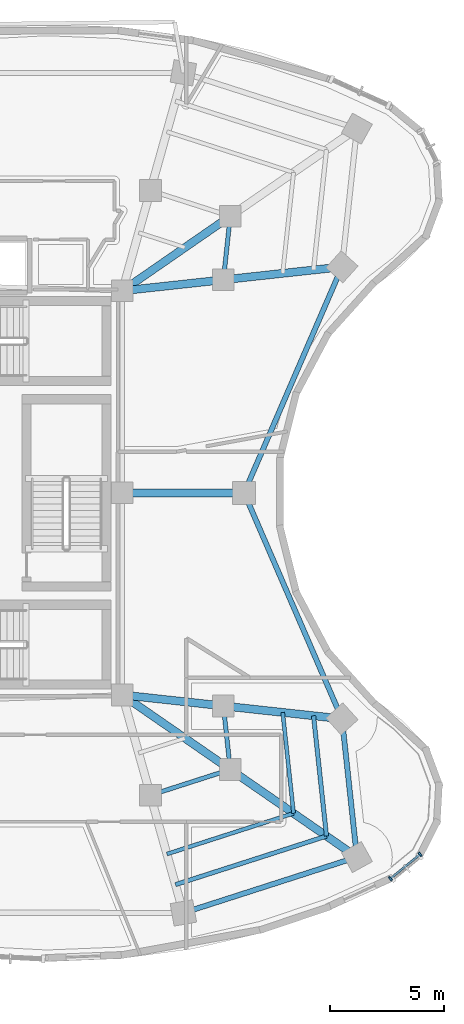
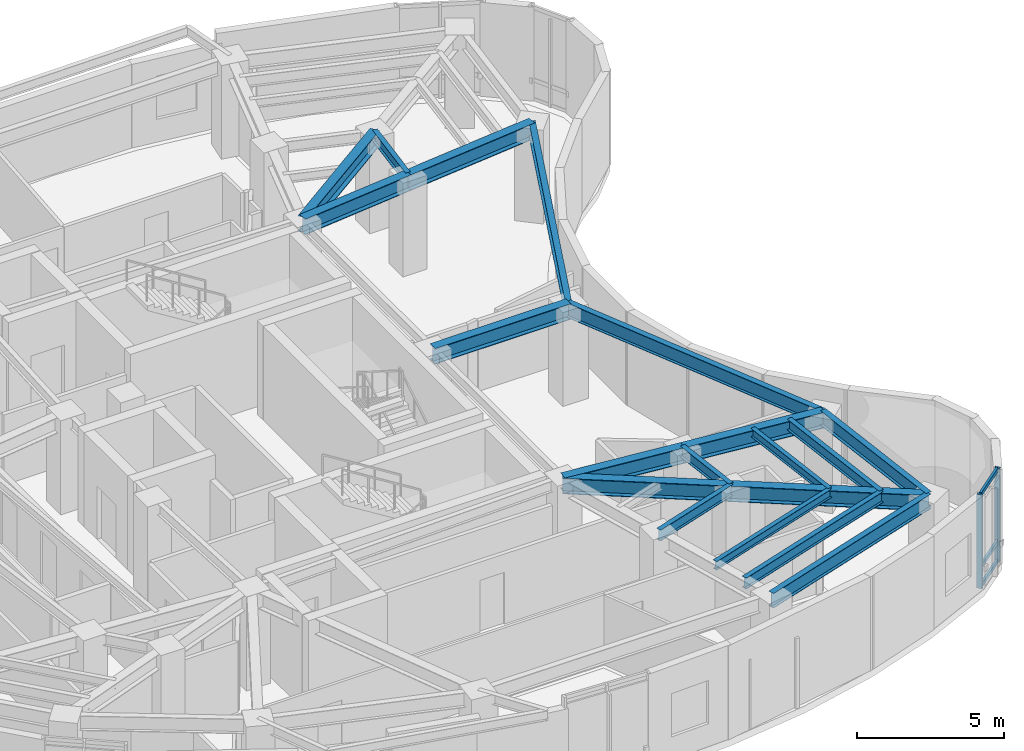
# One storey, part 4 of 13: 19 beams, 5 members, 1 element without a shape of its own.
"""IFC4 building model written with IfcOpenShell, lengths in metres."""

from ifc_helpers import new_model, si_unit, direction, frame, origin, origin_2d, place, context, subcontext, project, spatial, rectangle, i_section, extrude, material, layer, layer_set, material_profile, profile_set, type_object, element, aggregate, save


model = new_model("IFC4")

# Units and contexts
model_context = context("Model", 3, precision=1e-05, world=origin(), true_north=direction((0.0, 1.0)))
body_context = subcontext(model_context, "Body", "Model", "MODEL_VIEW")
ifc_project = project(units=[si_unit("LENGTHUNIT", "METRE"), si_unit("AREAUNIT", "SQUARE_METRE"), si_unit("VOLUMEUNIT", "CUBIC_METRE"), si_unit("PLANEANGLEUNIT", "RADIAN"), si_unit("MASSUNIT", "GRAM", prefix="KILO")], contexts=[model_context])

# Site, building, storey
site_placement = place(None, origin())
site = spatial("IfcSite", under=ifc_project, at=site_placement, CompositionType="ELEMENT")
building_placement = place(site_placement, origin())
building = spatial("IfcBuilding", under=site, at=building_placement, Name="Korentha Bioscience Tower", CompositionType="ELEMENT")
storey_placement = place(building_placement, frame((0.0, 0.0, 192.0)))
storey = spatial("IfcBuildingStorey", under=building, at=storey_placement, Name="L44", CompositionType="ELEMENT", Elevation=192.0)

# Beams
ifc_material_1 = material(Name="Steel S355", Category="steel")
ifc_material_profile_1 = material_profile(ifc_material_1, i_section(OverallWidth=0.18994140625, OverallDepth=0.45703125, WebThickness=0.009033203125, FlangeThickness=0.014404296875, at=origin_2d()), Name="Steel S355")
ifc_profile_set_1 = profile_set([ifc_material_profile_1], Name="Steel S355 (MB-460)")
beam_type_1 = type_object("IfcBeamType", Name="Mid-Ring Tie Girder W460x74", PredefinedType="BEAM", material=ifc_profile_set_1)
beam_1_placement = place(storey_placement, frame((38.77880859375, 13.7587890625, 3.67138671875), z_axis=(0.952000195343, 0.306097415976, 0.0), x_axis=(-0.306097415976, 0.952000195343, 0.0)))
element("IfcBeam", 1, at=beam_1_placement, inside=storey, type_object=beam_type_1, Name="L44 Mid-Ring Tie Girder 12", PredefinedType="BEAM", context=body_context, shape_type="SweptSolid", body=[
    extrude(i_section(OverallWidth=0.18994140625, OverallDepth=0.45703125, WebThickness=0.009033203125, FlangeThickness=0.014404296875, at=origin_2d()), origin(), (0.0, 0.0, 1.0), 3.672119140625),
])
for number, where, z_axis, x_axis, name in (
    (2, (42.274658203125, 14.8828125, 3.67138671875), (-0.107283940056, 0.99422842255, 0.0), (-0.99422842255, -0.107283940056, 0.0), "L44 Mid-Ring Tie Girder 13"),
    (3, (41.97412109375, 36.33203125, 3.67138671875), (0.107283940056, 0.99422842255, 0.0), (-0.99422842255, 0.107283940056, 0.0), "L44 Mid-Ring Tie Girder 16"),
):
    element("IfcBeam", number, at=place(storey_placement, frame(where, z_axis=z_axis, x_axis=x_axis)), inside=storey, type_object=beam_type_1, Name=name, PredefinedType="BEAM", context=body_context, shape_type="SweptSolid", body=[
        extrude(i_section(OverallWidth=0.18994140625, OverallDepth=0.45703125, WebThickness=0.009033203125, FlangeThickness=0.014404296875, at=origin_2d()), origin(), (0.0, 0.0, 1.0), 2.80126953125),
    ])

# Curtain wall, members
ifc_material_2 = material(Name="Thermally Broken Aluminium Frame", Category="aluminium")
ifc_layer = layer(ifc_material_2, 0.219970703125, Name="Thermally Broken Aluminium Frame")
ifc_layer_set = layer_set([ifc_layer], Name="Thermally Broken Aluminium Frame (CW-T2)")
curtain_wall_type = type_object("IfcCurtainWallType", Name="Solar-Screened Lab Unitised Curtain Wall CW-T2", PredefinedType="USERDEFINED", material=ifc_layer_set)
curtain_wall_placement = place(storey_placement, origin())
curtain_wall = element("IfcCurtainWall", 4, at=curtain_wall_placement, inside=storey, type_object=curtain_wall_type, Name="L44 Curtain Wall 37", ObjectType="UNITISED", PredefinedType="USERDEFINED")
ifc_material_3 = material(Name="Anodised Aluminium 6063-T6", Category="aluminium")
ifc_material_profile_2 = material_profile(ifc_material_3, rectangle(XDim=0.090087890625, YDim=0.199951171875, at=origin_2d()), Name="Anodised Aluminium 6063-T6")
ifc_profile_set_2 = profile_set([ifc_material_profile_2], Name="Anodised Aluminium 6063-T6 (CW-MUL)")
member_type_1 = type_object("IfcMemberType", Name="Mullion RECT 90x200", PredefinedType="MULLION", material=ifc_profile_set_2)
member_1_placement = place(storey_placement, frame((49.28759765625, 10.105224609375, 0.0), z_axis=(0.0, 0.0, 1.0), x_axis=(0.77425646139, 0.632871971251, 0.0)))
member_1 = element("IfcMember", 5, at=member_1_placement, type_object=member_type_1, Name="CW-L44-37 Mullion 1", PredefinedType="MULLION", context=body_context, shape_type="SweptSolid", body=[
    extrude(rectangle(XDim=0.090087890625, YDim=0.199951171875, at=origin_2d()), origin(), (0.0, 0.0, 1.0), 3.89990234375),
])
member_2_placement = place(storey_placement, frame((50.58984375, 11.169677734375, 0.0), z_axis=(0.0, 0.0, 1.0), x_axis=(0.77425646139, 0.632871971251, 0.0)))
member_2 = element("IfcMember", 6, at=member_2_placement, type_object=member_type_1, Name="CW-L44-37 Mullion 2", PredefinedType="MULLION", context=body_context, shape_type="SweptSolid", body=[
    extrude(rectangle(XDim=0.090087890625, YDim=0.199951171875, at=origin_2d()), origin(), (0.0, 0.0, 1.0), 3.89990234375),
])

# Beams
ifc_material_profile_3 = material_profile(ifc_material_1, i_section(OverallWidth=0.22802734375, OverallDepth=0.60791015625, WebThickness=0.01123046875, FlangeThickness=0.017333984375, at=origin_2d()), Name="Steel S355")
ifc_profile_set_3 = profile_set([ifc_material_profile_3], Name="Steel S355 (SB-610)")
beam_type_2 = type_object("IfcBeamType", Name="Perimeter Ring Spandrel Girder W610x113", PredefinedType="SPANDREL", material=ifc_profile_set_3)
beam_2_placement = place(storey_placement, frame((40.22119140625, 8.60400390625, 3.595947265625), z_axis=(0.952008512555, 0.306071547228, 0.0), x_axis=(-0.306071547228, 0.952008512555, 0.0)))
element("IfcBeam", 7, at=beam_2_placement, inside=storey, type_object=beam_type_2, Name="L44 Perimeter Spandrel Girder 12", PredefinedType="SPANDREL", context=body_context, shape_type="SweptSolid", body=[
    extrude(i_section(OverallWidth=0.22802734375, OverallDepth=0.60791015625, WebThickness=0.01123046875, FlangeThickness=0.017333984375, at=origin_2d()), origin(), (0.0, 0.0, 1.0), 7.98291015625),
])
beam_3_placement = place(storey_placement, frame((47.821044921875, 11.04736328125, 3.595947265625), z_axis=(-0.10732012232, 0.994224517574, 0.0), x_axis=(-0.994224517574, -0.10732012232, 0.0)))
element("IfcBeam", 8, at=beam_3_placement, inside=storey, type_object=beam_type_2, Name="L44 Perimeter Spandrel Girder 13", PredefinedType="SPANDREL", context=body_context, shape_type="SweptSolid", body=[
    extrude(i_section(OverallWidth=0.22802734375, OverallDepth=0.60791015625, WebThickness=0.01123046875, FlangeThickness=0.017333984375, at=origin_2d()), origin(), (0.0, 0.0, 1.0), 6.08984375),
])
for number, where, z_axis, x_axis, name in (
    (9, (47.16748046875, 17.10205078125, 3.595947265625), (-0.397336815315, 0.917672847585, 0.0), (-0.917672847585, -0.397336815315, 0.0), "L44 Perimeter Spandrel Girder 14"),
    (10, (42.8818359375, 27.0, 3.595947265625), (0.397336815315, 0.917672847585, 0.0), (-0.917672847585, 0.397336815315, 0.0), "L44 Perimeter Spandrel Girder 15"),
):
    element("IfcBeam", number, at=place(storey_placement, frame(where, z_axis=z_axis, x_axis=x_axis)), inside=storey, type_object=beam_type_2, Name=name, PredefinedType="SPANDREL", context=body_context, shape_type="SweptSolid", body=[
        extrude(i_section(OverallWidth=0.22802734375, OverallDepth=0.60791015625, WebThickness=0.01123046875, FlangeThickness=0.017333984375, at=origin_2d()), origin(), (0.0, 0.0, 1.0), 10.785888671875),
    ])
ifc_material_profile_4 = material_profile(ifc_material_1, i_section(OverallWidth=0.18994140625, OverallDepth=0.45703125, WebThickness=0.009033203125, FlangeThickness=0.014404296875, at=origin_2d()), Name="Steel S355")
ifc_profile_set_4 = profile_set([ifc_material_profile_4], Name="Steel S355 (RB-460)")
beam_type_3 = type_object("IfcBeamType", Name="Radial Laboratory Beam W460x74", PredefinedType="BEAM", material=ifc_profile_set_4)
beam_4_placement = place(storey_placement, frame((39.875, 9.84130859375, 3.67138671875), z_axis=(0.952009183817, 0.306069459318, 0.0), x_axis=(-0.306069459318, 0.952009183817, 0.0)))
element("IfcBeam", 11, at=beam_4_placement, inside=storey, type_object=beam_type_3, Name="L44 Secondary Floor Beam JSTO-12", PredefinedType="BEAM", context=body_context, shape_type="SweptSolid", body=[
    extrude(i_section(OverallWidth=0.18994140625, OverallDepth=0.45703125, WebThickness=0.009033203125, FlangeThickness=0.014404296875, at=origin_2d()), origin(), (0.0, 0.0, 1.0), 6.948486328125),
])
beam_5_placement = place(storey_placement, frame((46.489990234375, 11.968017578125, 3.67138671875), z_axis=(-0.107321875607, 0.994224328316, 0.0), x_axis=(-0.994224328316, -0.107321875607, 0.0)))
element("IfcBeam", 12, at=beam_5_placement, inside=storey, type_object=beam_type_3, Name="L44 Secondary Floor Beam JSTO-13", PredefinedType="BEAM", context=body_context, shape_type="SweptSolid", body=[
    extrude(i_section(OverallWidth=0.18994140625, OverallDepth=0.45703125, WebThickness=0.009033203125, FlangeThickness=0.014404296875, at=origin_2d()), origin(), (0.0, 0.0, 1.0), 5.30029296875),
])
ifc_material_profile_5 = material_profile(ifc_material_1, i_section(OverallWidth=0.35009765625, OverallDepth=0.64990234375, WebThickness=0.01611328125, FlangeThickness=0.02490234375, at=origin_2d()), Name="Steel S355")
ifc_profile_set_5 = profile_set([ifc_material_profile_5], Name="Steel S355 (RB-650)")
beam_type_4 = type_object("IfcBeamType", Name="Radial Laboratory Girder CVS 650x208", PredefinedType="BEAM", material=ifc_profile_set_5)
for number, where, z_axis, x_axis, name in (
    (13, (37.550048828125, 35.85009765625, 3.574951171875), (0.822501145898, 0.568763452584, 0.0), (-0.568763452584, 0.822501145898, 0.0), "L44 Inner Radial Girder 01"),
    (14, (37.550048828125, 18.14990234375, 3.574951171875), (0.822501145898, -0.568763452584, 0.0), (0.568763452584, 0.822501145898, 0.0), "L44 Inner Radial Girder 13"),
):
    element("IfcBeam", number, at=place(storey_placement, frame(where, z_axis=z_axis, x_axis=x_axis)), inside=storey, type_object=beam_type_4, Name=name, PredefinedType="BEAM", context=body_context, shape_type="SweptSolid", body=[
        extrude(i_section(OverallWidth=0.35009765625, OverallDepth=0.64990234375, WebThickness=0.01611328125, FlangeThickness=0.02490234375, at=origin_2d()), origin(), (0.0, 0.0, 1.0), 5.744140625),
    ])
beam_6_placement = place(storey_placement, frame((42.274658203125, 14.8828125, 3.574951171875), z_axis=(0.822494455845, -0.568773127094, 0.0), x_axis=(0.568773127094, 0.822494455845, 0.0)))
element("IfcBeam", 15, at=beam_6_placement, inside=storey, type_object=beam_type_4, Name="L44 Outer Radial Girder 13", PredefinedType="BEAM", context=body_context, shape_type="SweptSolid", body=[
    extrude(i_section(OverallWidth=0.35009765625, OverallDepth=0.64990234375, WebThickness=0.01611328125, FlangeThickness=0.02490234375, at=origin_2d()), origin(), (0.0, 0.0, 1.0), 6.743408203125),
])
beam_7_placement = place(storey_placement, frame((37.550048828125, 18.14990234375, 3.574951171875), z_axis=(0.994118939953, -0.108293735857, 0.0), x_axis=(0.108293735857, 0.994118939953, 0.0)))
element("IfcBeam", 16, at=beam_7_placement, inside=storey, type_object=beam_type_4, Name="L44 Inner Radial Girder 14", PredefinedType="BEAM", context=body_context, shape_type="SweptSolid", body=[
    extrude(i_section(OverallWidth=0.35009765625, OverallDepth=0.64990234375, WebThickness=0.01611328125, FlangeThickness=0.02490234375, at=origin_2d()), origin(), (0.0, 0.0, 1.0), 4.4501953125),
])
beam_8_placement = place(storey_placement, frame((41.97412109375, 17.66796875, 3.574951171875), z_axis=(0.994115177281, -0.108328271011, 0.0), x_axis=(0.108328271011, 0.994115177281, 0.0)))
element("IfcBeam", 17, at=beam_8_placement, inside=storey, type_object=beam_type_4, Name="L44 Outer Radial Girder 14", PredefinedType="BEAM", context=body_context, shape_type="SweptSolid", body=[
    extrude(i_section(OverallWidth=0.35009765625, OverallDepth=0.64990234375, WebThickness=0.01611328125, FlangeThickness=0.02490234375, at=origin_2d()), origin(), (0.0, 0.0, 1.0), 5.22412109375),
])
beam_9_placement = place(storey_placement, frame((37.550048828125, 27.0, 3.574951171875), z_axis=(1.0, 0.0, 0.0), x_axis=(0.0, 1.0, 0.0)))
element("IfcBeam", 18, at=beam_9_placement, inside=storey, type_object=beam_type_4, Name="L44 Radial Girder 15", PredefinedType="BEAM", context=body_context, shape_type="SweptSolid", body=[
    extrude(i_section(OverallWidth=0.35009765625, OverallDepth=0.64990234375, WebThickness=0.01611328125, FlangeThickness=0.02490234375, at=origin_2d()), origin(), (0.0, 0.0, 1.0), 5.331787109375),
])
beam_10_placement = place(storey_placement, frame((37.550048828125, 35.85009765625, 3.574951171875), z_axis=(0.994118939953, 0.108293735857, 0.0), x_axis=(-0.108293735857, 0.994118939953, 0.0)))
element("IfcBeam", 19, at=beam_10_placement, inside=storey, type_object=beam_type_4, Name="L44 Inner Radial Girder 16", PredefinedType="BEAM", context=body_context, shape_type="SweptSolid", body=[
    extrude(i_section(OverallWidth=0.35009765625, OverallDepth=0.64990234375, WebThickness=0.01611328125, FlangeThickness=0.02490234375, at=origin_2d()), origin(), (0.0, 0.0, 1.0), 4.4501953125),
])
beam_11_placement = place(storey_placement, frame((41.97412109375, 36.33203125, 3.574951171875), z_axis=(0.994115177281, 0.108328271011, 0.0), x_axis=(-0.108328271011, 0.994115177281, 0.0)))
element("IfcBeam", 20, at=beam_11_placement, inside=storey, type_object=beam_type_4, Name="L44 Outer Radial Girder 16", PredefinedType="BEAM", context=body_context, shape_type="SweptSolid", body=[
    extrude(i_section(OverallWidth=0.35009765625, OverallDepth=0.64990234375, WebThickness=0.01611328125, FlangeThickness=0.02490234375, at=origin_2d()), origin(), (0.0, 0.0, 1.0), 5.22412109375),
])
ifc_material_profile_6 = material_profile(ifc_material_1, i_section(OverallWidth=0.1708984375, OverallDepth=0.35498046875, WebThickness=0.007080078125, FlangeThickness=0.01171875, at=origin_2d()), Name="Steel S355")
ifc_profile_set_6 = profile_set([ifc_material_profile_6], Name="Steel S355 (JB-360)")
beam_type_5 = type_object("IfcBeamType", Name="Secondary Laboratory Joist W360x51", PredefinedType="JOIST", material=ifc_profile_set_6)
beam_12_placement = place(storey_placement, frame((39.5, 11.181396484375, 3.722412109375), z_axis=(0.952005892166, 0.306079697596, 0.0), x_axis=(-0.306079697596, 0.952005892166, 0.0)))
element("IfcBeam", 21, at=beam_12_placement, inside=storey, type_object=beam_type_5, Name="L44 Secondary Floor Beam JST-12", PredefinedType="JOIST", context=body_context, shape_type="SweptSolid", body=[
    extrude(i_section(OverallWidth=0.1708984375, OverallDepth=0.35498046875, WebThickness=0.007080078125, FlangeThickness=0.01171875, at=origin_2d()), origin(), (0.0, 0.0, 1.0), 5.82763671875),
])
beam_13_placement = place(storey_placement, frame((45.0478515625, 12.965087890625, 3.722412109375), z_axis=(-0.107308722475, 0.994225748048, 0.0), x_axis=(-0.994225748048, -0.107308722475, 0.0)))
element("IfcBeam", 22, at=beam_13_placement, inside=storey, type_object=beam_type_5, Name="L44 Secondary Floor Beam JST-13", PredefinedType="JOIST", context=body_context, shape_type="SweptSolid", body=[
    extrude(i_section(OverallWidth=0.1708984375, OverallDepth=0.35498046875, WebThickness=0.007080078125, FlangeThickness=0.01171875, at=origin_2d()), origin(), (0.0, 0.0, 1.0), 4.445556640625),
])

# Member
ifc_material_profile_7 = material_profile(ifc_material_3, rectangle(XDim=0.090087890625, YDim=0.159912109375, at=origin_2d()), Name="Anodised Aluminium 6063-T6")
ifc_profile_set_7 = profile_set([ifc_material_profile_7], Name="Anodised Aluminium 6063-T6 (CW-TRN)")
member_type_2 = type_object("IfcMemberType", Name="Transom RECT 90x160", PredefinedType="USERDEFINED", material=ifc_profile_set_7)
member_3_placement = place(storey_placement, frame((49.322509765625, 10.1337890625, 0.044921875), z_axis=(0.77427156069, 0.632853498297, 0.0), x_axis=(-0.632853498297, 0.77427156069, 0.0)))
member_3 = element("IfcMember", 23, at=member_3_placement, type_object=member_type_2, Name="CW-L44-37 Bay 1 Transom 1", ObjectType="TRANSOM", PredefinedType="USERDEFINED", context=body_context, shape_type="SweptSolid", body=[
    extrude(rectangle(XDim=0.090087890625, YDim=0.159912109375, at=origin_2d()), origin(), (0.0, 0.0, 1.0), 1.591796875),
])

member_4_placement = place(storey_placement, frame((49.322509765625, 10.1337890625, 0.85009765625), z_axis=(0.77427156069, 0.632853498297, 0.0), x_axis=(-0.632853498297, 0.77427156069, 0.0)))
member_4 = element("IfcMember", 24, at=member_4_placement, type_object=member_type_2, Name="CW-L44-37 Bay 1 Transom 2", ObjectType="TRANSOM", PredefinedType="USERDEFINED", context=body_context, shape_type="SweptSolid", body=[
    extrude(rectangle(XDim=0.090087890625, YDim=0.159912109375, at=origin_2d()), origin(), (0.0, 0.0, 1.0), 1.591796875),
])

member_5_placement = place(storey_placement, frame((49.322509765625, 10.1337890625, 3.85498046875), z_axis=(0.77427156069, 0.632853498297, 0.0), x_axis=(-0.632853498297, 0.77427156069, 0.0)))
member_5 = element("IfcMember", 25, at=member_5_placement, type_object=member_type_2, Name="CW-L44-37 Bay 1 Transom 3", ObjectType="TRANSOM", PredefinedType="USERDEFINED", context=body_context, shape_type="SweptSolid", body=[
    extrude(rectangle(XDim=0.090087890625, YDim=0.159912109375, at=origin_2d()), origin(), (0.0, 0.0, 1.0), 1.591796875),
])

aggregate(curtain_wall, [member_1, member_2, member_3, member_4, member_5])

save(model, "model.ifc")
